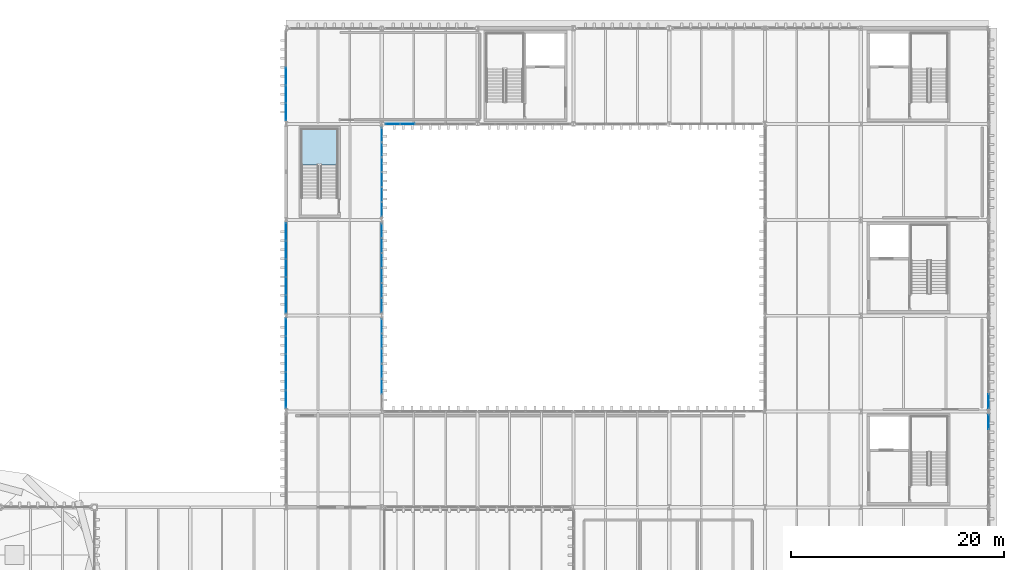
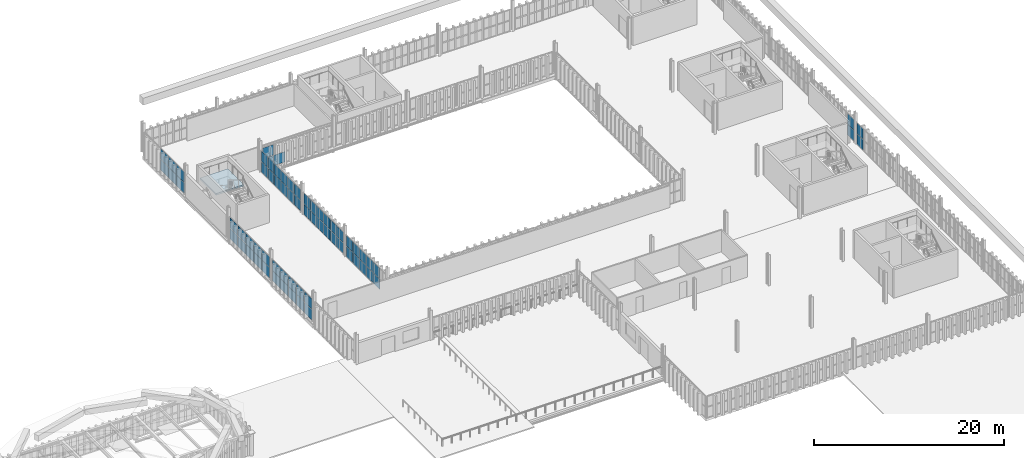
# One storey, part 84 of 102: 67 plates, 1 slab, 10 elements without a shape of their own.
"""IFC4 building model written with IfcOpenShell, lengths in metres."""

from ifc_helpers import new_model, si_unit, direction, frame, origin, origin_2d, place, context, subcontext, project, spatial, polyline, rectangle, outline, extrude, material, layer, layer_set, type_object, element, aggregate, save


model = new_model("IFC4")

# Units and contexts
model_context = context("Model", 3, precision=1e-05, world=origin(), true_north=direction((0.0, 1.0)))
body_context = subcontext(model_context, "Body", "Model", "MODEL_VIEW")
ifc_project = project(units=[si_unit("LENGTHUNIT", "METRE"), si_unit("AREAUNIT", "SQUARE_METRE"), si_unit("VOLUMEUNIT", "CUBIC_METRE"), si_unit("PLANEANGLEUNIT", "RADIAN"), si_unit("MASSUNIT", "GRAM", prefix="KILO")], contexts=[model_context])

# Site, building, storey
site_placement = place(None, origin())
site = spatial("IfcSite", under=ifc_project, at=site_placement, CompositionType="ELEMENT")
building_placement = place(site_placement, origin())
building = spatial("IfcBuilding", under=site, at=building_placement, Name="Barlavento Convention Centre", CompositionType="ELEMENT")
storey_placement = place(building_placement, frame((0.0, 0.0, 22.800048828125)))
storey = spatial("IfcBuildingStorey", under=building, at=storey_placement, Name="L04", CompositionType="ELEMENT", Elevation=22.800048828125)

# Curtain wall, plates
ifc_material_1 = material(Name="Powder-coated aluminium and Low-E glass", Category="aluminium")
ifc_layer_1 = layer(ifc_material_1, 0.18505859375)
ifc_layer_set_1 = layer_set([ifc_layer_1], Name="ARC-CW-CONF-L04")
curtain_wall_type_1 = type_object("IfcCurtainWallType", Name="ARC-CW-CONF-L04", PredefinedType="NOTDEFINED", material=ifc_layer_set_1)
curtain_wall_1_placement = place(storey_placement, origin())
curtain_wall_1 = element("IfcCurtainWall", 1, at=curtain_wall_1_placement, inside=storey, type_object=curtain_wall_type_1, Name="L04 unitised curtain wall CW09", PredefinedType="NOTDEFINED")
ifc_material_2 = material(Name="Double-silver Low-E insulated glass", Category="glass")
ifc_layer_2 = layer(ifc_material_2, 0.028076171875)
ifc_layer_set_2 = layer_set([ifc_layer_2], Name="ARC-CWP-GLZ28")
plate_type = type_object("IfcPlateType", Name="ARC-CWP-GLZ28", PredefinedType="CURTAIN_PANEL", material=ifc_layer_set_2)
plate_1_placement = place(storey_placement, frame((192.0, 62.015869140625, 0.06005859375), z_axis=(0.0, 0.0, 1.0), x_axis=(0.0, 1.0, 0.0)))
plate_1 = element("IfcPlate", 2, at=plate_1_placement, type_object=plate_type, Name="CW09 panel 6.1", PredefinedType="CURTAIN_PANEL", context=body_context, shape_type="SweptSolid", body=[
    extrude(rectangle(XDim=1.328369140625, YDim=0.028076171875, at=origin_2d()), origin(), (0.0, 0.0, 1.0), 1.3349609375),
])
plate_2_placement = place(storey_placement, frame((192.0, 62.015869140625, 1.455078125), z_axis=(0.0, 0.0, 1.0), x_axis=(0.0, 1.0, 0.0)))
plate_2 = element("IfcPlate", 3, at=plate_2_placement, type_object=plate_type, Name="CW09 panel 6.2", PredefinedType="CURTAIN_PANEL", context=body_context, shape_type="SweptSolid", body=[
    extrude(rectangle(XDim=1.328369140625, YDim=0.028076171875, at=origin_2d()), origin(), (0.0, 0.0, 1.0), 1.3349609375),
])
aggregate(curtain_wall_1, [plate_1, plate_2])

curtain_wall_2_placement = place(storey_placement, origin())
curtain_wall_2 = element("IfcCurtainWall", 4, at=curtain_wall_2_placement, inside=storey, type_object=curtain_wall_type_1, Name="L04 unitised curtain wall CW09", PredefinedType="NOTDEFINED")
plate_3_placement = place(storey_placement, frame((192.0, 63.9794921875, 0.06005859375), z_axis=(0.0, 0.0, 1.0), x_axis=(0.0, 1.0, 0.0)))
plate_3 = element("IfcPlate", 5, at=plate_3_placement, type_object=plate_type, Name="CW09 panel 1.1", PredefinedType="CURTAIN_PANEL", context=body_context, shape_type="SweptSolid", body=[
    extrude(rectangle(XDim=1.319091796875, YDim=0.028076171875, at=origin_2d()), origin(), (0.0, 0.0, 1.0), 1.3349609375),
])
plate_4_placement = place(storey_placement, frame((192.0, 63.9794921875, 1.455078125), z_axis=(0.0, 0.0, 1.0), x_axis=(0.0, 1.0, 0.0)))
plate_4 = element("IfcPlate", 6, at=plate_4_placement, type_object=plate_type, Name="CW09 panel 1.2", PredefinedType="CURTAIN_PANEL", context=body_context, shape_type="SweptSolid", body=[
    extrude(rectangle(XDim=1.319091796875, YDim=0.028076171875, at=origin_2d()), origin(), (0.0, 0.0, 1.0), 1.3349609375),
])
aggregate(curtain_wall_2, [plate_3, plate_4])

ifc_layer_3 = layer(ifc_material_1, 0.179931640625)
ifc_layer_set_3 = layer_set([ifc_layer_3], Name="ARC-CW-PATIO-B")
curtain_wall_type_2 = type_object("IfcCurtainWallType", Name="ARC-CW-PATIO-B", PredefinedType="NOTDEFINED", material=ifc_layer_set_3)
curtain_wall_3_placement = place(storey_placement, origin())
curtain_wall_3 = element("IfcCurtainWall", 7, at=curtain_wall_3_placement, inside=storey, type_object=curtain_wall_type_2, Name="L04 unitised curtain wall CW12", PredefinedType="NOTDEFINED")
plate_5_placement = place(storey_placement, frame((136.030029296875, 90.0, 0.06005859375), z_axis=(0.0, 0.0, 1.0), x_axis=(1.0, 0.0, 0.0)))
plate_5 = element("IfcPlate", 8, at=plate_5_placement, type_object=plate_type, Name="CW12 panel 1.1", PredefinedType="CURTAIN_PANEL", context=body_context, shape_type="SweptSolid", body=[
    extrude(rectangle(XDim=1.320068359375, YDim=0.028076171875, at=origin_2d()), origin(), (0.0, 0.0, 1.0), 1.3349609375),
])
plate_6_placement = place(storey_placement, frame((136.030029296875, 90.0, 1.455078125), z_axis=(0.0, 0.0, 1.0), x_axis=(1.0, 0.0, 0.0)))
plate_6 = element("IfcPlate", 9, at=plate_6_placement, type_object=plate_type, Name="CW12 panel 1.2", PredefinedType="CURTAIN_PANEL", context=body_context, shape_type="SweptSolid", body=[
    extrude(rectangle(XDim=1.320068359375, YDim=0.028076171875, at=origin_2d()), origin(), (0.0, 0.0, 1.0), 1.3349609375),
])
plate_7_placement = place(storey_placement, frame((137.425048828125, 90.0, 0.06005859375), z_axis=(0.0, 0.0, 1.0), x_axis=(1.0, 0.0, 0.0)))
plate_7 = element("IfcPlate", 10, at=plate_7_placement, type_object=plate_type, Name="CW12 panel 2.1", PredefinedType="CURTAIN_PANEL", context=body_context, shape_type="SweptSolid", body=[
    extrude(rectangle(XDim=1.35009765625, YDim=0.028076171875, at=origin_2d()), origin(), (0.0, 0.0, 1.0), 1.3349609375),
])
aggregate(curtain_wall_3, [plate_5, plate_6, plate_7])

curtain_wall_4_placement = place(storey_placement, origin())
curtain_wall_4 = element("IfcCurtainWall", 11, at=curtain_wall_4_placement, inside=storey, type_object=curtain_wall_type_2, Name="L04 unitised curtain wall CW12", PredefinedType="NOTDEFINED")
plate_8_placement = place(storey_placement, frame((135.0, 65.357421875, 0.06005859375), z_axis=(0.0, 0.0, 1.0), x_axis=(0.0, 1.0, 0.0)))
plate_8 = element("IfcPlate", 12, at=plate_8_placement, type_object=plate_type, Name="CW12 panel 2.1", PredefinedType="CURTAIN_PANEL", context=body_context, shape_type="SweptSolid", body=[
    extrude(rectangle(XDim=1.3583984375, YDim=0.028076171875, at=origin_2d()), origin(), (0.0, 0.0, 1.0), 1.3349609375),
])
plate_9_placement = place(storey_placement, frame((135.0, 65.357421875, 1.455078125), z_axis=(0.0, 0.0, 1.0), x_axis=(0.0, 1.0, 0.0)))
plate_9 = element("IfcPlate", 13, at=plate_9_placement, type_object=plate_type, Name="CW12 panel 2.2", PredefinedType="CURTAIN_PANEL", context=body_context, shape_type="SweptSolid", body=[
    extrude(rectangle(XDim=1.3583984375, YDim=0.028076171875, at=origin_2d()), origin(), (0.0, 0.0, 1.0), 1.3349609375),
])
plate_10_placement = place(storey_placement, frame((135.0, 66.77587890625, 0.06005859375), z_axis=(0.0, 0.0, 1.0), x_axis=(0.0, 1.0, 0.0)))
plate_10 = element("IfcPlate", 14, at=plate_10_placement, type_object=plate_type, Name="CW12 panel 3.1", PredefinedType="CURTAIN_PANEL", context=body_context, shape_type="SweptSolid", body=[
    extrude(rectangle(XDim=1.3583984375, YDim=0.028076171875, at=origin_2d()), origin(), (0.0, 0.0, 1.0), 1.3349609375),
])
plate_11_placement = place(storey_placement, frame((135.0, 66.77587890625, 1.455078125), z_axis=(0.0, 0.0, 1.0), x_axis=(0.0, 1.0, 0.0)))
plate_11 = element("IfcPlate", 15, at=plate_11_placement, type_object=plate_type, Name="CW12 panel 3.2", PredefinedType="CURTAIN_PANEL", context=body_context, shape_type="SweptSolid", body=[
    extrude(rectangle(XDim=1.3583984375, YDim=0.028076171875, at=origin_2d()), origin(), (0.0, 0.0, 1.0), 1.3349609375),
])
plate_12_placement = place(storey_placement, frame((135.0, 68.194091796875, 0.06005859375), z_axis=(0.0, 0.0, 1.0), x_axis=(0.0, 1.0, 0.0)))
plate_12 = element("IfcPlate", 16, at=plate_12_placement, type_object=plate_type, Name="CW12 panel 4.1", PredefinedType="CURTAIN_PANEL", context=body_context, shape_type="SweptSolid", body=[
    extrude(rectangle(XDim=1.3583984375, YDim=0.028076171875, at=origin_2d()), origin(), (0.0, 0.0, 1.0), 1.3349609375),
])
plate_13_placement = place(storey_placement, frame((135.0, 68.194091796875, 1.455078125), z_axis=(0.0, 0.0, 1.0), x_axis=(0.0, 1.0, 0.0)))
plate_13 = element("IfcPlate", 17, at=plate_13_placement, type_object=plate_type, Name="CW12 panel 4.2", PredefinedType="CURTAIN_PANEL", context=body_context, shape_type="SweptSolid", body=[
    extrude(rectangle(XDim=1.3583984375, YDim=0.028076171875, at=origin_2d()), origin(), (0.0, 0.0, 1.0), 1.3349609375),
])
plate_14_placement = place(storey_placement, frame((135.0, 69.612548828125, 0.06005859375), z_axis=(0.0, 0.0, 1.0), x_axis=(0.0, 1.0, 0.0)))
plate_14 = element("IfcPlate", 18, at=plate_14_placement, type_object=plate_type, Name="CW12 panel 5.1", PredefinedType="CURTAIN_PANEL", context=body_context, shape_type="SweptSolid", body=[
    extrude(rectangle(XDim=1.3583984375, YDim=0.028076171875, at=origin_2d()), origin(), (0.0, 0.0, 1.0), 1.3349609375),
])
plate_15_placement = place(storey_placement, frame((135.0, 69.612548828125, 1.455078125), z_axis=(0.0, 0.0, 1.0), x_axis=(0.0, 1.0, 0.0)))
plate_15 = element("IfcPlate", 19, at=plate_15_placement, type_object=plate_type, Name="CW12 panel 5.2", PredefinedType="CURTAIN_PANEL", context=body_context, shape_type="SweptSolid", body=[
    extrude(rectangle(XDim=1.3583984375, YDim=0.028076171875, at=origin_2d()), origin(), (0.0, 0.0, 1.0), 1.3349609375),
])
plate_16_placement = place(storey_placement, frame((135.0, 71.015869140625, 0.06005859375), z_axis=(0.0, 0.0, 1.0), x_axis=(0.0, 1.0, 0.0)))
plate_16 = element("IfcPlate", 20, at=plate_16_placement, type_object=plate_type, Name="CW12 panel 6.1", PredefinedType="CURTAIN_PANEL", context=body_context, shape_type="SweptSolid", body=[
    extrude(rectangle(XDim=1.328369140625, YDim=0.028076171875, at=origin_2d()), origin(), (0.0, 0.0, 1.0), 1.3349609375),
])
plate_17_placement = place(storey_placement, frame((135.0, 71.015869140625, 1.455078125), z_axis=(0.0, 0.0, 1.0), x_axis=(0.0, 1.0, 0.0)))
plate_17 = element("IfcPlate", 21, at=plate_17_placement, type_object=plate_type, Name="CW12 panel 6.2", PredefinedType="CURTAIN_PANEL", context=body_context, shape_type="SweptSolid", body=[
    extrude(rectangle(XDim=1.328369140625, YDim=0.028076171875, at=origin_2d()), origin(), (0.0, 0.0, 1.0), 1.3349609375),
])
aggregate(curtain_wall_4, [plate_8, plate_9, plate_10, plate_11, plate_12, plate_13, plate_14, plate_15, plate_16, plate_17])

curtain_wall_5_placement = place(storey_placement, origin())
curtain_wall_5 = element("IfcCurtainWall", 22, at=curtain_wall_5_placement, inside=storey, type_object=curtain_wall_type_2, Name="L04 unitised curtain wall CW12", PredefinedType="NOTDEFINED")
plate_18_placement = place(storey_placement, frame((135.0, 72.9794921875, 0.06005859375), z_axis=(0.0, 0.0, 1.0), x_axis=(0.0, 1.0, 0.0)))
plate_18 = element("IfcPlate", 23, at=plate_18_placement, type_object=plate_type, Name="CW12 panel 1.1", PredefinedType="CURTAIN_PANEL", context=body_context, shape_type="SweptSolid", body=[
    extrude(rectangle(XDim=1.319091796875, YDim=0.028076171875, at=origin_2d()), origin(), (0.0, 0.0, 1.0), 1.3349609375),
])
plate_19_placement = place(storey_placement, frame((135.0, 72.9794921875, 1.455078125), z_axis=(0.0, 0.0, 1.0), x_axis=(0.0, 1.0, 0.0)))
plate_19 = element("IfcPlate", 24, at=plate_19_placement, type_object=plate_type, Name="CW12 panel 1.2", PredefinedType="CURTAIN_PANEL", context=body_context, shape_type="SweptSolid", body=[
    extrude(rectangle(XDim=1.319091796875, YDim=0.028076171875, at=origin_2d()), origin(), (0.0, 0.0, 1.0), 1.3349609375),
])
plate_20_placement = place(storey_placement, frame((135.0, 74.373779296875, 0.06005859375), z_axis=(0.0, 0.0, 1.0), x_axis=(0.0, 1.0, 0.0)))
plate_20 = element("IfcPlate", 25, at=plate_20_placement, type_object=plate_type, Name="CW12 panel 2.1", PredefinedType="CURTAIN_PANEL", context=body_context, shape_type="SweptSolid", body=[
    extrude(rectangle(XDim=1.34912109375, YDim=0.028076171875, at=origin_2d()), origin(), (0.0, 0.0, 1.0), 1.3349609375),
])
plate_21_placement = place(storey_placement, frame((135.0, 74.373779296875, 1.455078125), z_axis=(0.0, 0.0, 1.0), x_axis=(0.0, 1.0, 0.0)))
plate_21 = element("IfcPlate", 26, at=plate_21_placement, type_object=plate_type, Name="CW12 panel 2.2", PredefinedType="CURTAIN_PANEL", context=body_context, shape_type="SweptSolid", body=[
    extrude(rectangle(XDim=1.34912109375, YDim=0.028076171875, at=origin_2d()), origin(), (0.0, 0.0, 1.0), 1.3349609375),
])
plate_22_placement = place(storey_placement, frame((135.0, 75.782958984375, 0.06005859375), z_axis=(0.0, 0.0, 1.0), x_axis=(0.0, 1.0, 0.0)))
plate_22 = element("IfcPlate", 27, at=plate_22_placement, type_object=plate_type, Name="CW12 panel 3.1", PredefinedType="CURTAIN_PANEL", context=body_context, shape_type="SweptSolid", body=[
    extrude(rectangle(XDim=1.34912109375, YDim=0.028076171875, at=origin_2d()), origin(), (0.0, 0.0, 1.0), 1.3349609375),
])
plate_23_placement = place(storey_placement, frame((135.0, 75.782958984375, 1.455078125), z_axis=(0.0, 0.0, 1.0), x_axis=(0.0, 1.0, 0.0)))
plate_23 = element("IfcPlate", 28, at=plate_23_placement, type_object=plate_type, Name="CW12 panel 3.2", PredefinedType="CURTAIN_PANEL", context=body_context, shape_type="SweptSolid", body=[
    extrude(rectangle(XDim=1.34912109375, YDim=0.028076171875, at=origin_2d()), origin(), (0.0, 0.0, 1.0), 1.3349609375),
])
plate_24_placement = place(storey_placement, frame((135.0, 77.192138671875, 0.06005859375), z_axis=(0.0, 0.0, 1.0), x_axis=(0.0, 1.0, 0.0)))
plate_24 = element("IfcPlate", 29, at=plate_24_placement, type_object=plate_type, Name="CW12 panel 4.1", PredefinedType="CURTAIN_PANEL", context=body_context, shape_type="SweptSolid", body=[
    extrude(rectangle(XDim=1.34912109375, YDim=0.028076171875, at=origin_2d()), origin(), (0.0, 0.0, 1.0), 1.3349609375),
])
plate_25_placement = place(storey_placement, frame((135.0, 77.192138671875, 1.455078125), z_axis=(0.0, 0.0, 1.0), x_axis=(0.0, 1.0, 0.0)))
plate_25 = element("IfcPlate", 30, at=plate_25_placement, type_object=plate_type, Name="CW12 panel 4.2", PredefinedType="CURTAIN_PANEL", context=body_context, shape_type="SweptSolid", body=[
    extrude(rectangle(XDim=1.34912109375, YDim=0.028076171875, at=origin_2d()), origin(), (0.0, 0.0, 1.0), 1.3349609375),
])
plate_26_placement = place(storey_placement, frame((135.0, 78.601318359375, 0.06005859375), z_axis=(0.0, 0.0, 1.0), x_axis=(0.0, 1.0, 0.0)))
plate_26 = element("IfcPlate", 31, at=plate_26_placement, type_object=plate_type, Name="CW12 panel 5.1", PredefinedType="CURTAIN_PANEL", context=body_context, shape_type="SweptSolid", body=[
    extrude(rectangle(XDim=1.34912109375, YDim=0.028076171875, at=origin_2d()), origin(), (0.0, 0.0, 1.0), 1.3349609375),
])
plate_27_placement = place(storey_placement, frame((135.0, 78.601318359375, 1.455078125), z_axis=(0.0, 0.0, 1.0), x_axis=(0.0, 1.0, 0.0)))
plate_27 = element("IfcPlate", 32, at=plate_27_placement, type_object=plate_type, Name="CW12 panel 5.2", PredefinedType="CURTAIN_PANEL", context=body_context, shape_type="SweptSolid", body=[
    extrude(rectangle(XDim=1.34912109375, YDim=0.028076171875, at=origin_2d()), origin(), (0.0, 0.0, 1.0), 1.3349609375),
])
plate_28_placement = place(storey_placement, frame((135.0, 79.995361328125, 0.06005859375), z_axis=(0.0, 0.0, 1.0), x_axis=(0.0, 1.0, 0.0)))
plate_28 = element("IfcPlate", 33, at=plate_28_placement, type_object=plate_type, Name="CW12 panel 6.1", PredefinedType="CURTAIN_PANEL", context=body_context, shape_type="SweptSolid", body=[
    extrude(rectangle(XDim=1.319091796875, YDim=0.028076171875, at=origin_2d()), origin(), (0.0, 0.0, 1.0), 1.3349609375),
])
plate_29_placement = place(storey_placement, frame((135.0, 79.995361328125, 1.455078125), z_axis=(0.0, 0.0, 1.0), x_axis=(0.0, 1.0, 0.0)))
plate_29 = element("IfcPlate", 34, at=plate_29_placement, type_object=plate_type, Name="CW12 panel 6.2", PredefinedType="CURTAIN_PANEL", context=body_context, shape_type="SweptSolid", body=[
    extrude(rectangle(XDim=1.319091796875, YDim=0.028076171875, at=origin_2d()), origin(), (0.0, 0.0, 1.0), 1.3349609375),
])
aggregate(curtain_wall_5, [plate_18, plate_19, plate_20, plate_21, plate_22, plate_23, plate_24, plate_25, plate_26, plate_27, plate_28, plate_29])

curtain_wall_6_placement = place(storey_placement, origin())
curtain_wall_6 = element("IfcCurtainWall", 35, at=curtain_wall_6_placement, inside=storey, type_object=curtain_wall_type_2, Name="L04 unitised curtain wall CW12", PredefinedType="NOTDEFINED")
plate_30_placement = place(storey_placement, frame((135.0, 82.00048828125, 0.06005859375), z_axis=(0.0, 0.0, 1.0), x_axis=(0.0, 1.0, 0.0)))
plate_30 = element("IfcPlate", 36, at=plate_30_placement, type_object=plate_type, Name="CW12 panel 1.1", PredefinedType="CURTAIN_PANEL", context=body_context, shape_type="SweptSolid", body=[
    extrude(rectangle(XDim=1.310791015625, YDim=0.028076171875, at=origin_2d()), origin(), (0.0, 0.0, 1.0), 1.3349609375),
])
plate_31_placement = place(storey_placement, frame((135.0, 82.00048828125, 1.455078125), z_axis=(0.0, 0.0, 1.0), x_axis=(0.0, 1.0, 0.0)))
plate_31 = element("IfcPlate", 37, at=plate_31_placement, type_object=plate_type, Name="CW12 panel 1.2", PredefinedType="CURTAIN_PANEL", context=body_context, shape_type="SweptSolid", body=[
    extrude(rectangle(XDim=1.310791015625, YDim=0.028076171875, at=origin_2d()), origin(), (0.0, 0.0, 1.0), 1.3349609375),
])
plate_32_placement = place(storey_placement, frame((135.0, 83.38623046875, 0.06005859375), z_axis=(0.0, 0.0, 1.0), x_axis=(0.0, 1.0, 0.0)))
plate_32 = element("IfcPlate", 38, at=plate_32_placement, type_object=plate_type, Name="CW12 panel 2.1", PredefinedType="CURTAIN_PANEL", context=body_context, shape_type="SweptSolid", body=[
    extrude(rectangle(XDim=1.3408203125, YDim=0.028076171875, at=origin_2d()), origin(), (0.0, 0.0, 1.0), 1.3349609375),
])
plate_33_placement = place(storey_placement, frame((135.0, 83.38623046875, 1.455078125), z_axis=(0.0, 0.0, 1.0), x_axis=(0.0, 1.0, 0.0)))
plate_33 = element("IfcPlate", 39, at=plate_33_placement, type_object=plate_type, Name="CW12 panel 2.2", PredefinedType="CURTAIN_PANEL", context=body_context, shape_type="SweptSolid", body=[
    extrude(rectangle(XDim=1.3408203125, YDim=0.028076171875, at=origin_2d()), origin(), (0.0, 0.0, 1.0), 1.3349609375),
])
plate_34_placement = place(storey_placement, frame((135.0, 84.787109375, 0.06005859375), z_axis=(0.0, 0.0, 1.0), x_axis=(0.0, 1.0, 0.0)))
plate_34 = element("IfcPlate", 40, at=plate_34_placement, type_object=plate_type, Name="CW12 panel 3.1", PredefinedType="CURTAIN_PANEL", context=body_context, shape_type="SweptSolid", body=[
    extrude(rectangle(XDim=1.3408203125, YDim=0.028076171875, at=origin_2d()), origin(), (0.0, 0.0, 1.0), 1.3349609375),
])
plate_35_placement = place(storey_placement, frame((135.0, 84.787109375, 1.455078125), z_axis=(0.0, 0.0, 1.0), x_axis=(0.0, 1.0, 0.0)))
plate_35 = element("IfcPlate", 41, at=plate_35_placement, type_object=plate_type, Name="CW12 panel 3.2", PredefinedType="CURTAIN_PANEL", context=body_context, shape_type="SweptSolid", body=[
    extrude(rectangle(XDim=1.3408203125, YDim=0.028076171875, at=origin_2d()), origin(), (0.0, 0.0, 1.0), 1.3349609375),
])
plate_36_placement = place(storey_placement, frame((135.0, 86.18798828125, 0.06005859375), z_axis=(0.0, 0.0, 1.0), x_axis=(0.0, 1.0, 0.0)))
plate_36 = element("IfcPlate", 42, at=plate_36_placement, type_object=plate_type, Name="CW12 panel 4.1", PredefinedType="CURTAIN_PANEL", context=body_context, shape_type="SweptSolid", body=[
    extrude(rectangle(XDim=1.3408203125, YDim=0.028076171875, at=origin_2d()), origin(), (0.0, 0.0, 1.0), 1.3349609375),
])
plate_37_placement = place(storey_placement, frame((135.0, 86.18798828125, 1.455078125), z_axis=(0.0, 0.0, 1.0), x_axis=(0.0, 1.0, 0.0)))
plate_37 = element("IfcPlate", 43, at=plate_37_placement, type_object=plate_type, Name="CW12 panel 4.2", PredefinedType="CURTAIN_PANEL", context=body_context, shape_type="SweptSolid", body=[
    extrude(rectangle(XDim=1.3408203125, YDim=0.028076171875, at=origin_2d()), origin(), (0.0, 0.0, 1.0), 1.3349609375),
])
plate_38_placement = place(storey_placement, frame((135.0, 87.5888671875, 0.06005859375), z_axis=(0.0, 0.0, 1.0), x_axis=(0.0, 1.0, 0.0)))
plate_38 = element("IfcPlate", 44, at=plate_38_placement, type_object=plate_type, Name="CW12 panel 5.1", PredefinedType="CURTAIN_PANEL", context=body_context, shape_type="SweptSolid", body=[
    extrude(rectangle(XDim=1.3408203125, YDim=0.028076171875, at=origin_2d()), origin(), (0.0, 0.0, 1.0), 1.3349609375),
])
plate_39_placement = place(storey_placement, frame((135.0, 87.5888671875, 1.455078125), z_axis=(0.0, 0.0, 1.0), x_axis=(0.0, 1.0, 0.0)))
plate_39 = element("IfcPlate", 45, at=plate_39_placement, type_object=plate_type, Name="CW12 panel 5.2", PredefinedType="CURTAIN_PANEL", context=body_context, shape_type="SweptSolid", body=[
    extrude(rectangle(XDim=1.3408203125, YDim=0.028076171875, at=origin_2d()), origin(), (0.0, 0.0, 1.0), 1.3349609375),
])
plate_40_placement = place(storey_placement, frame((135.0, 88.974609375, 0.06005859375), z_axis=(0.0, 0.0, 1.0), x_axis=(0.0, 1.0, 0.0)))
plate_40 = element("IfcPlate", 46, at=plate_40_placement, type_object=plate_type, Name="CW12 panel 6.1", PredefinedType="CURTAIN_PANEL", context=body_context, shape_type="SweptSolid", body=[
    extrude(rectangle(XDim=1.310791015625, YDim=0.028076171875, at=origin_2d()), origin(), (0.0, 0.0, 1.0), 1.3349609375),
])
plate_41_placement = place(storey_placement, frame((135.0, 88.974609375, 1.455078125), z_axis=(0.0, 0.0, 1.0), x_axis=(0.0, 1.0, 0.0)))
plate_41 = element("IfcPlate", 47, at=plate_41_placement, type_object=plate_type, Name="CW12 panel 6.2", PredefinedType="CURTAIN_PANEL", context=body_context, shape_type="SweptSolid", body=[
    extrude(rectangle(XDim=1.310791015625, YDim=0.028076171875, at=origin_2d()), origin(), (0.0, 0.0, 1.0), 1.3349609375),
])
aggregate(curtain_wall_6, [plate_30, plate_31, plate_32, plate_33, plate_34, plate_35, plate_36, plate_37, plate_38, plate_39, plate_40, plate_41])

curtain_wall_7_placement = place(storey_placement, origin())
curtain_wall_7 = element("IfcCurtainWall", 48, at=curtain_wall_7_placement, inside=storey, type_object=curtain_wall_type_1, Name="L04 unitised curtain wall CW09", PredefinedType="NOTDEFINED")
plate_42_placement = place(storey_placement, frame((126.0, 64.1708984375, 0.06005859375), z_axis=(0.0, 0.0, 1.0), x_axis=(0.0, 1.0, 0.0)))
plate_42 = element("IfcPlate", 49, at=plate_42_placement, type_object=plate_type, Name="CW09 panel 1.1", PredefinedType="CURTAIN_PANEL", context=body_context, shape_type="SweptSolid", body=[
    extrude(rectangle(XDim=1.60205078125, YDim=0.028076171875, at=origin_2d()), origin(), (0.0, 0.0, 1.0), 1.3349609375),
])
plate_43_placement = place(storey_placement, frame((126.0, 64.1708984375, 1.455078125), z_axis=(0.0, 0.0, 1.0), x_axis=(0.0, 1.0, 0.0)))
plate_43 = element("IfcPlate", 50, at=plate_43_placement, type_object=plate_type, Name="CW09 panel 1.2", PredefinedType="CURTAIN_PANEL", context=body_context, shape_type="SweptSolid", body=[
    extrude(rectangle(XDim=1.60205078125, YDim=0.028076171875, at=origin_2d()), origin(), (0.0, 0.0, 1.0), 1.3349609375),
])
plate_44_placement = place(storey_placement, frame((126.0, 65.847900390625, 0.06005859375), z_axis=(0.0, 0.0, 1.0), x_axis=(0.0, 1.0, 0.0)))
plate_44 = element("IfcPlate", 51, at=plate_44_placement, type_object=plate_type, Name="CW09 panel 2.1", PredefinedType="CURTAIN_PANEL", context=body_context, shape_type="SweptSolid", body=[
    extrude(rectangle(XDim=1.632080078125, YDim=0.028076171875, at=origin_2d()), origin(), (0.0, 0.0, 1.0), 1.3349609375),
])
plate_45_placement = place(storey_placement, frame((126.0, 65.847900390625, 1.455078125), z_axis=(0.0, 0.0, 1.0), x_axis=(0.0, 1.0, 0.0)))
plate_45 = element("IfcPlate", 52, at=plate_45_placement, type_object=plate_type, Name="CW09 panel 2.2", PredefinedType="CURTAIN_PANEL", context=body_context, shape_type="SweptSolid", body=[
    extrude(rectangle(XDim=1.632080078125, YDim=0.028076171875, at=origin_2d()), origin(), (0.0, 0.0, 1.0), 1.3349609375),
])
plate_46_placement = place(storey_placement, frame((126.0, 67.5400390625, 0.06005859375), z_axis=(0.0, 0.0, 1.0), x_axis=(0.0, 1.0, 0.0)))
plate_46 = element("IfcPlate", 53, at=plate_46_placement, type_object=plate_type, Name="CW09 panel 3.1", PredefinedType="CURTAIN_PANEL", context=body_context, shape_type="SweptSolid", body=[
    extrude(rectangle(XDim=1.632080078125, YDim=0.028076171875, at=origin_2d()), origin(), (0.0, 0.0, 1.0), 1.3349609375),
])
plate_47_placement = place(storey_placement, frame((126.0, 67.5400390625, 1.455078125), z_axis=(0.0, 0.0, 1.0), x_axis=(0.0, 1.0, 0.0)))
plate_47 = element("IfcPlate", 54, at=plate_47_placement, type_object=plate_type, Name="CW09 panel 3.2", PredefinedType="CURTAIN_PANEL", context=body_context, shape_type="SweptSolid", body=[
    extrude(rectangle(XDim=1.632080078125, YDim=0.028076171875, at=origin_2d()), origin(), (0.0, 0.0, 1.0), 1.3349609375),
])
plate_48_placement = place(storey_placement, frame((126.0, 69.23193359375, 0.06005859375), z_axis=(0.0, 0.0, 1.0), x_axis=(0.0, 1.0, 0.0)))
plate_48 = element("IfcPlate", 55, at=plate_48_placement, type_object=plate_type, Name="CW09 panel 4.1", PredefinedType="CURTAIN_PANEL", context=body_context, shape_type="SweptSolid", body=[
    extrude(rectangle(XDim=1.632080078125, YDim=0.028076171875, at=origin_2d()), origin(), (0.0, 0.0, 1.0), 1.3349609375),
])
plate_49_placement = place(storey_placement, frame((126.0, 69.23193359375, 1.455078125), z_axis=(0.0, 0.0, 1.0), x_axis=(0.0, 1.0, 0.0)))
plate_49 = element("IfcPlate", 56, at=plate_49_placement, type_object=plate_type, Name="CW09 panel 4.2", PredefinedType="CURTAIN_PANEL", context=body_context, shape_type="SweptSolid", body=[
    extrude(rectangle(XDim=1.632080078125, YDim=0.028076171875, at=origin_2d()), origin(), (0.0, 0.0, 1.0), 1.3349609375),
])
plate_50_placement = place(storey_placement, frame((126.0, 70.908935546875, 0.06005859375), z_axis=(0.0, 0.0, 1.0), x_axis=(0.0, 1.0, 0.0)))
plate_50 = element("IfcPlate", 57, at=plate_50_placement, type_object=plate_type, Name="CW09 panel 5.1", PredefinedType="CURTAIN_PANEL", context=body_context, shape_type="SweptSolid", body=[
    extrude(rectangle(XDim=1.60205078125, YDim=0.028076171875, at=origin_2d()), origin(), (0.0, 0.0, 1.0), 1.3349609375),
])
plate_51_placement = place(storey_placement, frame((126.0, 70.908935546875, 1.455078125), z_axis=(0.0, 0.0, 1.0), x_axis=(0.0, 1.0, 0.0)))
plate_51 = element("IfcPlate", 58, at=plate_51_placement, type_object=plate_type, Name="CW09 panel 5.2", PredefinedType="CURTAIN_PANEL", context=body_context, shape_type="SweptSolid", body=[
    extrude(rectangle(XDim=1.60205078125, YDim=0.028076171875, at=origin_2d()), origin(), (0.0, 0.0, 1.0), 1.3349609375),
])
aggregate(curtain_wall_7, [plate_42, plate_43, plate_44, plate_45, plate_46, plate_47, plate_48, plate_49, plate_50, plate_51])

curtain_wall_8_placement = place(storey_placement, origin())
curtain_wall_8 = element("IfcCurtainWall", 59, at=curtain_wall_8_placement, inside=storey, type_object=curtain_wall_type_1, Name="L04 unitised curtain wall CW09", PredefinedType="NOTDEFINED")
plate_52_placement = place(storey_placement, frame((126.0, 73.095947265625, 0.06005859375), z_axis=(0.0, 0.0, 1.0), x_axis=(0.0, 1.0, 0.0)))
plate_52 = element("IfcPlate", 60, at=plate_52_placement, type_object=plate_type, Name="CW09 panel 1.1", PredefinedType="CURTAIN_PANEL", context=body_context, shape_type="SweptSolid", body=[
    extrude(rectangle(XDim=1.612060546875, YDim=0.028076171875, at=origin_2d()), origin(), (0.0, 0.0, 1.0), 1.3349609375),
])
plate_53_placement = place(storey_placement, frame((126.0, 73.095947265625, 1.455078125), z_axis=(0.0, 0.0, 1.0), x_axis=(0.0, 1.0, 0.0)))
plate_53 = element("IfcPlate", 61, at=plate_53_placement, type_object=plate_type, Name="CW09 panel 1.2", PredefinedType="CURTAIN_PANEL", context=body_context, shape_type="SweptSolid", body=[
    extrude(rectangle(XDim=1.612060546875, YDim=0.028076171875, at=origin_2d()), origin(), (0.0, 0.0, 1.0), 1.3349609375),
])
plate_54_placement = place(storey_placement, frame((126.0, 74.782958984375, 0.06005859375), z_axis=(0.0, 0.0, 1.0), x_axis=(0.0, 1.0, 0.0)))
plate_54 = element("IfcPlate", 62, at=plate_54_placement, type_object=plate_type, Name="CW09 panel 2.1", PredefinedType="CURTAIN_PANEL", context=body_context, shape_type="SweptSolid", body=[
    extrude(rectangle(XDim=1.64208984375, YDim=0.028076171875, at=origin_2d()), origin(), (0.0, 0.0, 1.0), 1.3349609375),
])
plate_55_placement = place(storey_placement, frame((126.0, 74.782958984375, 1.455078125), z_axis=(0.0, 0.0, 1.0), x_axis=(0.0, 1.0, 0.0)))
plate_55 = element("IfcPlate", 63, at=plate_55_placement, type_object=plate_type, Name="CW09 panel 2.2", PredefinedType="CURTAIN_PANEL", context=body_context, shape_type="SweptSolid", body=[
    extrude(rectangle(XDim=1.64208984375, YDim=0.028076171875, at=origin_2d()), origin(), (0.0, 0.0, 1.0), 1.3349609375),
])
plate_56_placement = place(storey_placement, frame((126.0, 76.485107421875, 0.06005859375), z_axis=(0.0, 0.0, 1.0), x_axis=(0.0, 1.0, 0.0)))
plate_56 = element("IfcPlate", 64, at=plate_56_placement, type_object=plate_type, Name="CW09 panel 3.1", PredefinedType="CURTAIN_PANEL", context=body_context, shape_type="SweptSolid", body=[
    extrude(rectangle(XDim=1.64208984375, YDim=0.028076171875, at=origin_2d()), origin(), (0.0, 0.0, 1.0), 1.3349609375),
])
plate_57_placement = place(storey_placement, frame((126.0, 76.485107421875, 1.455078125), z_axis=(0.0, 0.0, 1.0), x_axis=(0.0, 1.0, 0.0)))
plate_57 = element("IfcPlate", 65, at=plate_57_placement, type_object=plate_type, Name="CW09 panel 3.2", PredefinedType="CURTAIN_PANEL", context=body_context, shape_type="SweptSolid", body=[
    extrude(rectangle(XDim=1.64208984375, YDim=0.028076171875, at=origin_2d()), origin(), (0.0, 0.0, 1.0), 1.3349609375),
])
plate_58_placement = place(storey_placement, frame((126.0, 78.18701171875, 0.06005859375), z_axis=(0.0, 0.0, 1.0), x_axis=(0.0, 1.0, 0.0)))
plate_58 = element("IfcPlate", 66, at=plate_58_placement, type_object=plate_type, Name="CW09 panel 4.1", PredefinedType="CURTAIN_PANEL", context=body_context, shape_type="SweptSolid", body=[
    extrude(rectangle(XDim=1.64208984375, YDim=0.028076171875, at=origin_2d()), origin(), (0.0, 0.0, 1.0), 1.3349609375),
])
plate_59_placement = place(storey_placement, frame((126.0, 78.18701171875, 1.455078125), z_axis=(0.0, 0.0, 1.0), x_axis=(0.0, 1.0, 0.0)))
plate_59 = element("IfcPlate", 67, at=plate_59_placement, type_object=plate_type, Name="CW09 panel 4.2", PredefinedType="CURTAIN_PANEL", context=body_context, shape_type="SweptSolid", body=[
    extrude(rectangle(XDim=1.64208984375, YDim=0.028076171875, at=origin_2d()), origin(), (0.0, 0.0, 1.0), 1.3349609375),
])
plate_60_placement = place(storey_placement, frame((126.0, 79.8740234375, 0.06005859375), z_axis=(0.0, 0.0, 1.0), x_axis=(0.0, 1.0, 0.0)))
plate_60 = element("IfcPlate", 68, at=plate_60_placement, type_object=plate_type, Name="CW09 panel 5.1", PredefinedType="CURTAIN_PANEL", context=body_context, shape_type="SweptSolid", body=[
    extrude(rectangle(XDim=1.612060546875, YDim=0.028076171875, at=origin_2d()), origin(), (0.0, 0.0, 1.0), 1.3349609375),
])
plate_61_placement = place(storey_placement, frame((126.0, 79.8740234375, 1.455078125), z_axis=(0.0, 0.0, 1.0), x_axis=(0.0, 1.0, 0.0)))
plate_61 = element("IfcPlate", 69, at=plate_61_placement, type_object=plate_type, Name="CW09 panel 5.2", PredefinedType="CURTAIN_PANEL", context=body_context, shape_type="SweptSolid", body=[
    extrude(rectangle(XDim=1.612060546875, YDim=0.028076171875, at=origin_2d()), origin(), (0.0, 0.0, 1.0), 1.3349609375),
])
aggregate(curtain_wall_8, [plate_52, plate_53, plate_54, plate_55, plate_56, plate_57, plate_58, plate_59, plate_60, plate_61])

curtain_wall_9_placement = place(storey_placement, origin())
curtain_wall_9 = element("IfcCurtainWall", 70, at=curtain_wall_9_placement, inside=storey, type_object=curtain_wall_type_1, Name="L04 unitised curtain wall CW09", PredefinedType="NOTDEFINED")
plate_62_placement = place(storey_placement, frame((126.0, 91.140380859375, 0.06005859375), z_axis=(0.0, 0.0, 1.0), x_axis=(0.0, 1.0, 0.0)))
plate_62 = element("IfcPlate", 71, at=plate_62_placement, type_object=plate_type, Name="CW09 panel 1.1", PredefinedType="CURTAIN_PANEL", context=body_context, shape_type="SweptSolid", body=[
    extrude(rectangle(XDim=1.591064453125, YDim=0.028076171875, at=origin_2d()), origin(), (0.0, 0.0, 1.0), 1.3349609375),
])
plate_63_placement = place(storey_placement, frame((126.0, 91.140380859375, 1.455078125), z_axis=(0.0, 0.0, 1.0), x_axis=(0.0, 1.0, 0.0)))
plate_63 = element("IfcPlate", 72, at=plate_63_placement, type_object=plate_type, Name="CW09 panel 1.2", PredefinedType="CURTAIN_PANEL", context=body_context, shape_type="SweptSolid", body=[
    extrude(rectangle(XDim=1.591064453125, YDim=0.028076171875, at=origin_2d()), origin(), (0.0, 0.0, 1.0), 1.3349609375),
])
plate_64_placement = place(storey_placement, frame((126.0, 92.806396484375, 0.06005859375), z_axis=(0.0, 0.0, 1.0), x_axis=(0.0, 1.0, 0.0)))
plate_64 = element("IfcPlate", 73, at=plate_64_placement, type_object=plate_type, Name="CW09 panel 2.1", PredefinedType="CURTAIN_PANEL", context=body_context, shape_type="SweptSolid", body=[
    extrude(rectangle(XDim=1.62109375, YDim=0.028076171875, at=origin_2d()), origin(), (0.0, 0.0, 1.0), 1.3349609375),
])
plate_65_placement = place(storey_placement, frame((126.0, 92.806396484375, 1.455078125), z_axis=(0.0, 0.0, 1.0), x_axis=(0.0, 1.0, 0.0)))
plate_65 = element("IfcPlate", 74, at=plate_65_placement, type_object=plate_type, Name="CW09 panel 2.2", PredefinedType="CURTAIN_PANEL", context=body_context, shape_type="SweptSolid", body=[
    extrude(rectangle(XDim=1.62109375, YDim=0.028076171875, at=origin_2d()), origin(), (0.0, 0.0, 1.0), 1.3349609375),
])
plate_66_placement = place(storey_placement, frame((126.0, 94.487548828125, 0.06005859375), z_axis=(0.0, 0.0, 1.0), x_axis=(0.0, 1.0, 0.0)))
plate_66 = element("IfcPlate", 75, at=plate_66_placement, type_object=plate_type, Name="CW09 panel 3.1", PredefinedType="CURTAIN_PANEL", context=body_context, shape_type="SweptSolid", body=[
    extrude(rectangle(XDim=1.62109375, YDim=0.028076171875, at=origin_2d()), origin(), (0.0, 0.0, 1.0), 1.3349609375),
])
plate_67_placement = place(storey_placement, frame((126.0, 94.487548828125, 1.455078125), z_axis=(0.0, 0.0, 1.0), x_axis=(0.0, 1.0, 0.0)))
plate_67 = element("IfcPlate", 76, at=plate_67_placement, type_object=plate_type, Name="CW09 panel 3.2", PredefinedType="CURTAIN_PANEL", context=body_context, shape_type="SweptSolid", body=[
    extrude(rectangle(XDim=1.62109375, YDim=0.028076171875, at=origin_2d()), origin(), (0.0, 0.0, 1.0), 1.3349609375),
])
aggregate(curtain_wall_9, [plate_62, plate_63, plate_64, plate_65, plate_66, plate_67])

# Stair, slab
ifc_material_3 = material(Name="Concrete C40/50", Category="concrete")
stair_type = type_object("IfcStairType", Name="ARC-STR-DOG-1600", PredefinedType="HALF_TURN_STAIR", material=ifc_material_3)
stair_placement = place(storey_placement, origin())
stair = element("IfcStair", 77, at=stair_placement, inside=storey, type_object=stair_type, Name="L04 ST12", PredefinedType="HALF_TURN_STAIR")
ifc_layer_4 = layer(ifc_material_3, 0.199951171875)
ifc_layer_set_4 = layer_set([ifc_layer_4], Name="ARC-SLB-LND-200")
slab_type = type_object("IfcSlabType", Name="ARC-SLB-LND-200", PredefinedType="LANDING", material=ifc_layer_set_4)
slab_placement = place(storey_placement, frame((0.0, 0.0, 1.800048828125)))
slab = element("IfcSlab", 78, at=slab_placement, type_object=slab_type, Name="ST12 landing 1", PredefinedType="LANDING", context=body_context, shape_type="SweptSolid", body=[
    extrude(outline(polyline([(130.85009765625, 86.14990234375), (130.85009765625, 89.530029296875), (127.449951171875, 89.530029296875), (127.449951171875, 86.14990234375), (130.85009765625, 86.14990234375)])), origin(), (0.0, 0.0, 1.0), 0.199951171875),
])
aggregate(stair, [slab])

save(model, "model.ifc")
